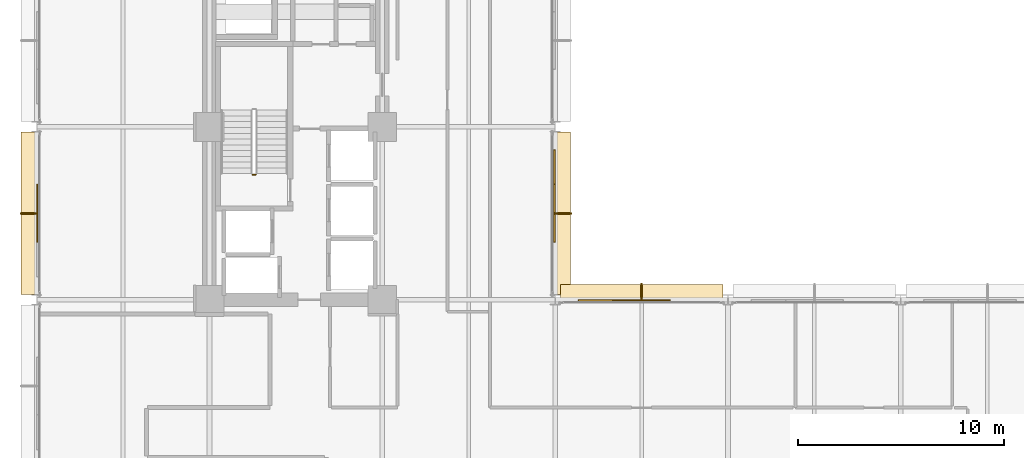
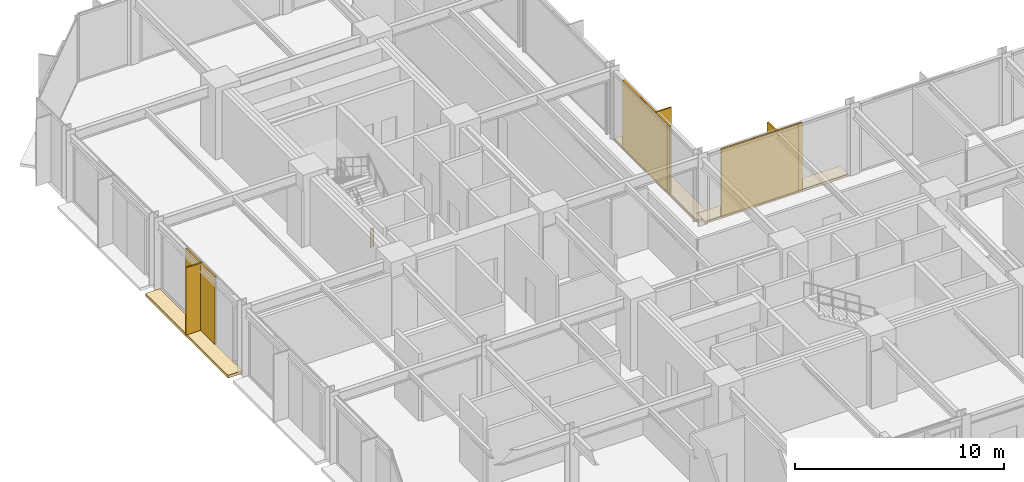
# One storey, part 28 of 30: 6 shading devices, 5 coverings, 1 railing.
"""IFC4 building model written with IfcOpenShell, lengths in metres."""

from ifc_helpers import new_model, si_unit, direction, frame, origin, origin_2d, place, context, subcontext, project, spatial, polyline, rectangle, circle, outline, extrude, material, layer, layer_set, type_object, element, save


model = new_model("IFC4")

# Units and contexts
model_context = context("Model", 3, precision=1e-05, world=origin(), true_north=direction((0.0, 1.0)))
body_context = subcontext(model_context, "Body", "Model", "MODEL_VIEW")
ifc_project = project(units=[si_unit("LENGTHUNIT", "METRE"), si_unit("AREAUNIT", "SQUARE_METRE"), si_unit("VOLUMEUNIT", "CUBIC_METRE"), si_unit("PLANEANGLEUNIT", "RADIAN"), si_unit("MASSUNIT", "GRAM", prefix="KILO")], contexts=[model_context])

# Site, building, storey
site_placement = place(None, origin())
site = spatial("IfcSite", under=ifc_project, at=site_placement, CompositionType="ELEMENT")
building_placement = place(site_placement, origin())
building = spatial("IfcBuilding", under=site, at=building_placement, Name="Nerrivon Quay Data Exchange", CompositionType="ELEMENT")
storey_placement = place(building_placement, frame((0.0, 0.0, 62.60009765625)))
storey = spatial("IfcBuildingStorey", under=building, at=storey_placement, Name="L14", CompositionType="ELEMENT", Elevation=62.60009765625)

# Coverings
ifc_material_1 = material(Name="Architectural terracotta ceramic", Category="masonry")
ifc_layer_1 = layer(ifc_material_1, 0.159912109375)
ifc_layer_set_1 = layer_set([ifc_layer_1], Name="Architectural terracotta ceramic")
covering_type_1 = type_object("IfcCoveringType", Name="COV-BLD-TERR", PredefinedType="CLADDING", material=ifc_layer_set_1)
covering_1_placement = place(storey_placement, frame((0.0, 0.0, -0.16015625)))
element("IfcCovering", 1, at=covering_1_placement, inside=storey, type_object=covering_type_1, Name="L14 Horizontal Terracotta SOLAR SCREEN Blade", PredefinedType="CLADDING", context=body_context, shape_type="SweptSolid", body=[
    extrude(outline(polyline([(0.0400390625, 25.449951171875), (0.0400390625, 33.35009765625), (-0.75, 33.35009765625), (-0.75, 25.449951171875), (0.0400390625, 25.449951171875)])), origin(), (0.0, 0.0, 1.0), 0.16015625),
])
covering_2_placement = place(storey_placement, frame((0.0, 0.0, -0.16015625)))
element("IfcCovering", 2, at=covering_2_placement, inside=storey, type_object=covering_type_1, Name="L14 Horizontal Terracotta SOLAR SCREEN Blade", PredefinedType="CLADDING", context=body_context, shape_type="SweptSolid", body=[
    extrude(outline(polyline([(25.159912109375, 33.35009765625), (25.159912109375, 25.449951171875), (25.949951171875, 25.449951171875), (25.949951171875, 33.35009765625), (25.159912109375, 33.35009765625)])), origin(), (0.0, 0.0, 1.0), 0.16015625),
])
covering_3_placement = place(storey_placement, frame((0.0, 0.0, -0.16015625)))
element("IfcCovering", 3, at=covering_3_placement, inside=storey, type_object=covering_type_1, Name="L14 Horizontal Terracotta SOLAR SCREEN Blade", PredefinedType="CLADDING", context=body_context, shape_type="SweptSolid", body=[
    extrude(outline(polyline([(25.449951171875, 25.159912109375), (33.35009765625, 25.159912109375), (33.35009765625, 25.949951171875), (25.449951171875, 25.949951171875), (25.449951171875, 25.159912109375)])), origin(), (0.0, 0.0, 1.0), 0.16015625),
])
ifc_layer_2 = layer(ifc_material_1, 0.090087890625)
ifc_layer_set_2 = layer_set([ifc_layer_2], Name="Architectural terracotta ceramic")
covering_type_2 = type_object("IfcCoveringType", Name="COV-SCR-TERR", PredefinedType="CLADDING", material=ifc_layer_set_2)
for number, where, z_axis, x_axis, name in (
    (4, (25.155029296875, 30.347900390625, 0.0), (0.0, 0.0, 1.0), (0.0, -1.0, 0.0), "L14 Perforated Terracotta SOLAR SCREEN Cassette"),
    (5, (28.451904296875, 25.155029296875, 0.0), (0.0, 0.0, 1.0), (1.0, 0.0, 0.0), "L14 Perforated Terracotta SOLAR SCREEN Cassette"),
):
    element("IfcCovering", number, at=place(storey_placement, frame(where, z_axis=z_axis, x_axis=x_axis)), inside=storey, type_object=covering_type_2, Name=name, PredefinedType="CLADDING", context=body_context, shape_type="SweptSolid", body=[
        extrude(rectangle(XDim=4.26611328125, YDim=0.090087890625, at=origin_2d()), origin(), (0.0, 0.0, 1.0), 3.925048828125),
    ])

# Railing
ifc_material_2 = material(Name="Steel Grade C350L0 (350 MPa)", Category="steel")
railing_type = type_object("IfcRailingType", Name="RAIL-STAIR-GR1", PredefinedType="BALUSTRADE", material=ifc_material_2)
railing_placement = place(storey_placement, frame((10.64990234375, 31.280029296875, 0.0)))
element("IfcRailing", 6, at=railing_placement, inside=storey, type_object=railing_type, Name="L14 ST01 stair guard 4", PredefinedType="BALUSTRADE", context=body_context, shape_type="SweptSolid", body=[
    extrude(circle(Radius=0.02392578125, at=origin_2d()), frame((0.0, 0.0, 1.076171875), z_axis=(-1.0, 0.0, 0.0), x_axis=(0.0, -1.0, 0.0)), (0.0, 0.0, 1.0), 0.14990234375),
    extrude(circle(Radius=0.02392578125, at=origin_2d()), frame((0.0, 0.0, 0.550048828125), z_axis=(-1.0, 0.0, 0.0), x_axis=(0.0, -1.0, 0.0)), (0.0, 0.0, 1.0), 0.14990234375),
    extrude(circle(Radius=0.02099609375, at=origin_2d()), origin(), (0.0, 0.0, 1.0), 1.052001953125),
    extrude(circle(Radius=0.02099609375, at=origin_2d()), frame((-0.14990234375, 0.0, 0.0)), (0.0, 0.0, 1.0), 1.052001953125),
])

# Shading devices
ifc_layer_3 = layer(ifc_material_1, 0.074951171875)
ifc_layer_set_3 = layer_set([ifc_layer_3], Name="Architectural terracotta ceramic")
shading_device_type_1 = type_object("IfcShadingDeviceType", Name="SHD-FIN-SS02", PredefinedType="USERDEFINED", material=ifc_layer_set_3)
for number, where, z_axis, x_axis, name in (
    (7, (-0.3798828125, 29.39990234375, 0.0), (0.0, 0.0, 1.0), (0.0, 1.0, 0.0), "L14 Subtropical Solar Fin Blade 20"),
    (8, (25.580078125, 29.39990234375, 0.0), (0.0, 0.0, 1.0), (0.0, -1.0, 0.0), "L14 Subtropical Solar Fin Blade 31"),
    (9, (29.39990234375, 25.580078125, 0.0), (0.0, 0.0, 1.0), (1.0, 0.0, 0.0), "L14 Subtropical Solar Fin Blade 32"),
):
    element("IfcShadingDevice", number, at=place(storey_placement, frame(where, z_axis=z_axis, x_axis=x_axis)), inside=storey, type_object=shading_device_type_1, Name=name, ObjectType="FIN", PredefinedType="USERDEFINED", context=body_context, shape_type="SweptSolid", body=[
        extrude(rectangle(XDim=0.074951171875, YDim=0.85009765625, at=origin_2d()), origin(), (0.0, 0.0, 1.0), 3.925048828125),
    ])
ifc_layer_4 = layer(ifc_material_1, 0.0849609375)
ifc_layer_set_4 = layer_set([ifc_layer_4], Name="Architectural terracotta ceramic")
shading_device_type_2 = type_object("IfcShadingDeviceType", Name="SHD-SCR-SS01", PredefinedType="USERDEFINED", material=ifc_layer_set_4)
for number, where, z_axis, x_axis, name in (
    (10, (0.0400390625, 29.39990234375, 0.0), (0.0, 0.0, 1.0), (0.0, 1.0, 0.0), "L14 Perforated Terracotta Solar Screen 20"),
    (11, (25.159912109375, 29.39990234375, 0.0), (0.0, 0.0, 1.0), (0.0, -1.0, 0.0), "L14 Perforated Terracotta Solar Screen 31"),
    (12, (29.39990234375, 25.159912109375, 0.0), (0.0, 0.0, 1.0), (1.0, 0.0, 0.0), "L14 Perforated Terracotta Solar Screen 32"),
):
    element("IfcShadingDevice", number, at=place(storey_placement, frame(where, z_axis=z_axis, x_axis=x_axis)), inside=storey, type_object=shading_device_type_2, Name=name, ObjectType="SCREEN", PredefinedType="USERDEFINED", context=body_context, shape_type="SweptSolid", body=[
        extrude(rectangle(XDim=2.800048828125, YDim=0.0849609375, at=origin_2d()), origin(), (0.0, 0.0, 1.0), 3.925048828125),
    ])

save(model, "model.ifc")
